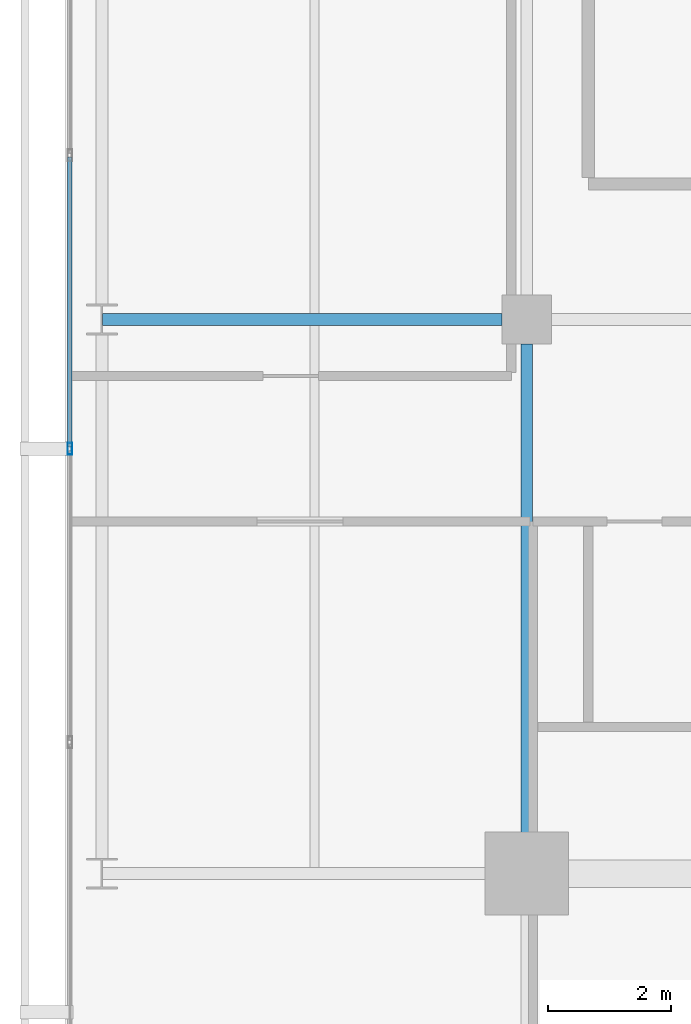
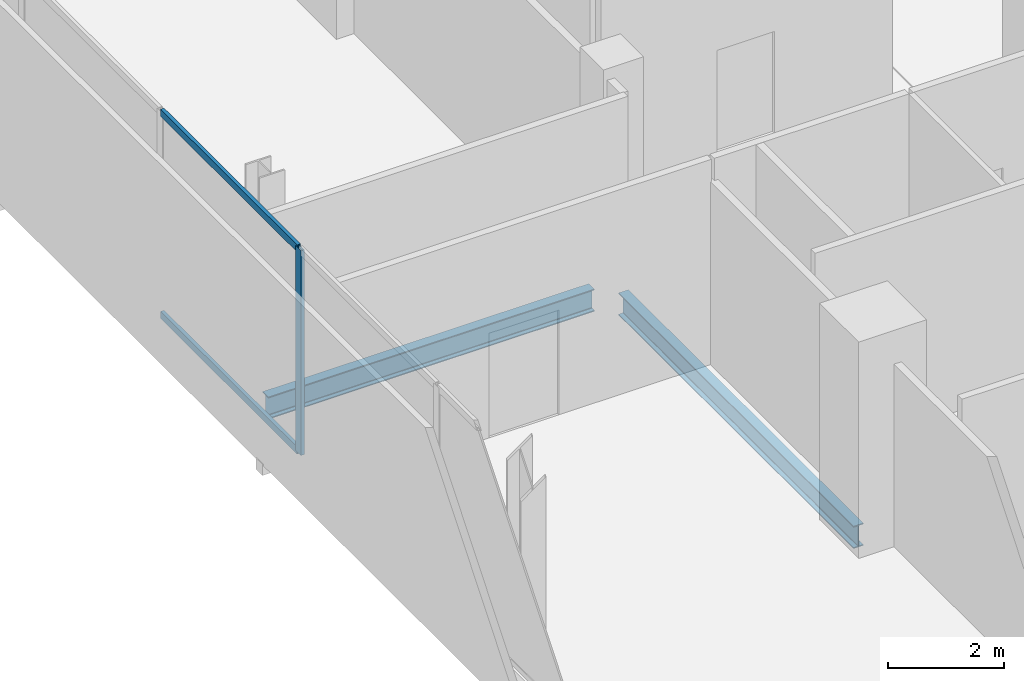
# One storey, part 7 of 23: 3 members, 2 beams, 1 element without a shape of its own.
"""IFC4 building model written with IfcOpenShell, lengths in metres."""

from ifc_helpers import new_model, si_unit, direction, frame, origin, origin_2d, place, context, subcontext, project, spatial, hollow_rectangle, i_section, extrude, material, layer, layer_set, material_profile, profile_set, type_object, element, aggregate, save


model = new_model("IFC4")

# Units and contexts
model_context = context("Model", 3, precision=1e-05, world=origin(), true_north=direction((0.0, 1.0)))
body_context = subcontext(model_context, "Body", "Model", "MODEL_VIEW")
ifc_project = project(units=[si_unit("LENGTHUNIT", "METRE"), si_unit("AREAUNIT", "SQUARE_METRE"), si_unit("VOLUMEUNIT", "CUBIC_METRE"), si_unit("PLANEANGLEUNIT", "RADIAN"), si_unit("MASSUNIT", "GRAM", prefix="KILO")], contexts=[model_context])

# Site, building, storey
site_placement = place(None, origin())
site = spatial("IfcSite", under=ifc_project, at=site_placement, CompositionType="ELEMENT")
building_placement = place(site_placement, origin())
building = spatial("IfcBuilding", under=site, at=building_placement, Name="Maruvema Waterfront Hotel and Observation Tower", CompositionType="ELEMENT")
storey_placement = place(building_placement, frame((0.0, 0.0, 345.10009765625)))
storey = spatial("IfcBuildingStorey", under=building, at=storey_placement, Name="L85", CompositionType="ELEMENT", Elevation=345.10009765625)

# Curtain wall, members
ifc_material_1 = material(Name="Anodised bronze aluminium and solar-control low-E IGU", Category="aluminium")
ifc_layer = layer(ifc_material_1, 0.159912109375, Name="Observation Crown Structural Glazed Curtain Wall System CW-06")
ifc_layer_set = layer_set([ifc_layer], Name="Anodised bronze aluminium and solar-control low-E IGU")
curtain_wall_type = type_object("IfcCurtainWallType", Name="Observation Crown Structural Glazed Curtain Wall System CW-06", PredefinedType="USERDEFINED", material=ifc_layer_set)
curtain_wall_placement = place(storey_placement, origin())
curtain_wall = element("IfcCurtainWall", 1, at=curtain_wall_placement, inside=storey, type_object=curtain_wall_type, Name="L85 Curtain Wall CW-L85-W", ObjectType="UNITISED CURTAIN WALL", PredefinedType="USERDEFINED")
ifc_material_2 = material(Name="Anodised architectural bronze aluminium", Category="aluminium")
ifc_material_profile_1 = material_profile(ifc_material_2, hollow_rectangle(XDim=0.070068359375, YDim=0.14990234375, WallThickness=0.00390625, at=origin_2d()), Name="ALU-T70x150")
ifc_profile_set_1 = profile_set([ifc_material_profile_1], Name="Anodised architectural bronze aluminium")
member_type_1 = type_object("IfcMemberType", Name="Curtain Wall Horizontal Transom ALU-T70x150", PredefinedType="USERDEFINED", material=ifc_profile_set_1)
member_1_placement = place(storey_placement, frame((17.780029296875, 38.63671875, 0.02978515625), z_axis=(0.0, -1.0, 0.0), x_axis=(1.0, 0.0, 0.0)))
member_1 = element("IfcMember", 2, at=member_1_placement, type_object=member_type_1, Name="CW-06 transom 3.1", ObjectType="TRANSOM", PredefinedType="USERDEFINED", context=body_context, shape_type="SweptSolid", body=[
    extrude(hollow_rectangle(XDim=0.070068359375, YDim=0.14990234375, WallThickness=0.00390625, at=origin_2d()), origin(), (0.0, 0.0, 1.0), 4.706787109375),
])
member_2_placement = place(storey_placement, frame((17.780029296875, 38.63671875, 4.27978515625), z_axis=(0.0, -1.0, 0.0), x_axis=(1.0, 0.0, 0.0)))
member_2 = element("IfcMember", 3, at=member_2_placement, type_object=member_type_1, Name="CW-06 transom 3.2", ObjectType="TRANSOM", PredefinedType="USERDEFINED", context=body_context, shape_type="SweptSolid", body=[
    extrude(hollow_rectangle(XDim=0.070068359375, YDim=0.14990234375, WallThickness=0.00390625, at=origin_2d()), origin(), (0.0, 0.0, 1.0), 4.706787109375),
])
ifc_material_3 = material(Name="Anodised architectural bronze aluminium", Category="aluminium")
ifc_material_profile_2 = material_profile(ifc_material_3, hollow_rectangle(XDim=0.070068359375, YDim=0.18994140625, WallThickness=0.00390625, at=origin_2d()), Name="ALU-M70x190")
ifc_profile_set_2 = profile_set([ifc_material_profile_2], Name="Anodised architectural bronze aluminium")
member_type_2 = type_object("IfcMemberType", Name="Podium Storefront Heavy Mullion ALU-M70x190", PredefinedType="MULLION", material=ifc_profile_set_2)
member_3_placement = place(storey_placement, frame((17.780029296875, 33.89990234375, 0.0), z_axis=(0.0, 0.0, 1.0), x_axis=(1.0, 0.0, 0.0)))
member_3 = element("IfcMember", 4, at=member_3_placement, type_object=member_type_2, Name="CW-06 mullion 4", PredefinedType="MULLION", context=body_context, shape_type="SweptSolid", body=[
    extrude(hollow_rectangle(XDim=0.070068359375, YDim=0.18994140625, WallThickness=0.00390625, at=origin_2d()), origin(), (0.0, 0.0, 1.0), 4.309814453125),
])
aggregate(curtain_wall, [member_3, member_1, member_2])

# Beams
ifc_material_4 = material(Name="Steel ASTM A572 Grade 50", Category="steel")
ifc_material_profile_3 = material_profile(ifc_material_4, i_section(OverallWidth=0.194091796875, OverallDepth=0.468994140625, WebThickness=0.0126953125, FlangeThickness=0.0205078125, FilletRadius=0.014892578125, at=origin_2d()), Name="W460x106.0")
ifc_profile_set_3 = profile_set([ifc_material_profile_3], Name="Steel ASTM A572 Grade 50")
beam_type = type_object("IfcBeamType", Name="Primary Floor Girder W460x106.0", PredefinedType="BEAM", material=ifc_profile_set_3)
beam_1_placement = place(storey_placement, frame((18.31103515625, 36.0, -0.474609375), z_axis=(1.0, 0.0, 0.0), x_axis=(0.0, 1.0, 0.0)))
element("IfcBeam", 5, at=beam_1_placement, inside=storey, type_object=beam_type, Name="L85 Floor Girder EW-10", PredefinedType="BEAM", context=body_context, shape_type="SweptSolid", body=[
    extrude(i_section(OverallWidth=0.194091796875, OverallDepth=0.468994140625, WebThickness=0.0126953125, FlangeThickness=0.0205078125, FilletRadius=0.014892578125, at=origin_2d()), origin(), (0.0, 0.0, 1.0), 6.489013671875),
])
beam_2_placement = place(storey_placement, frame((25.199951171875, 27.5, -0.474609375), z_axis=(0.0, 1.0, 0.0), x_axis=(-1.0, 0.0, 0.0)))
element("IfcBeam", 6, at=beam_2_placement, inside=storey, type_object=beam_type, Name="L85 Floor Girder NS-05", PredefinedType="BEAM", context=body_context, shape_type="SweptSolid", body=[
    extrude(i_section(OverallWidth=0.194091796875, OverallDepth=0.468994140625, WebThickness=0.0126953125, FlangeThickness=0.0205078125, FilletRadius=0.014892578125, at=origin_2d()), origin(), (0.0, 0.0, 1.0), 8.10009765625),
])

save(model, "model.ifc")
